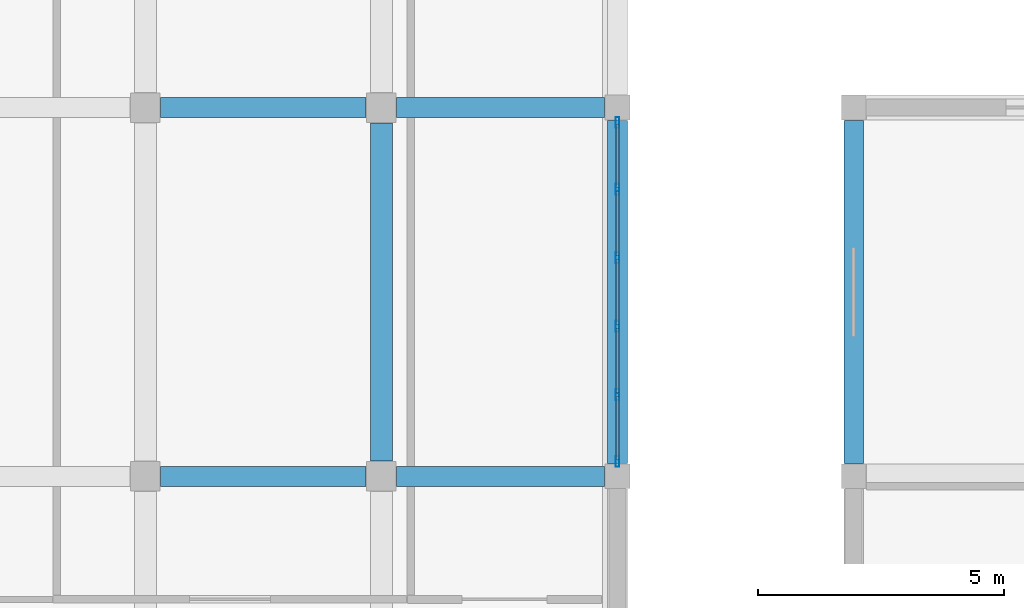
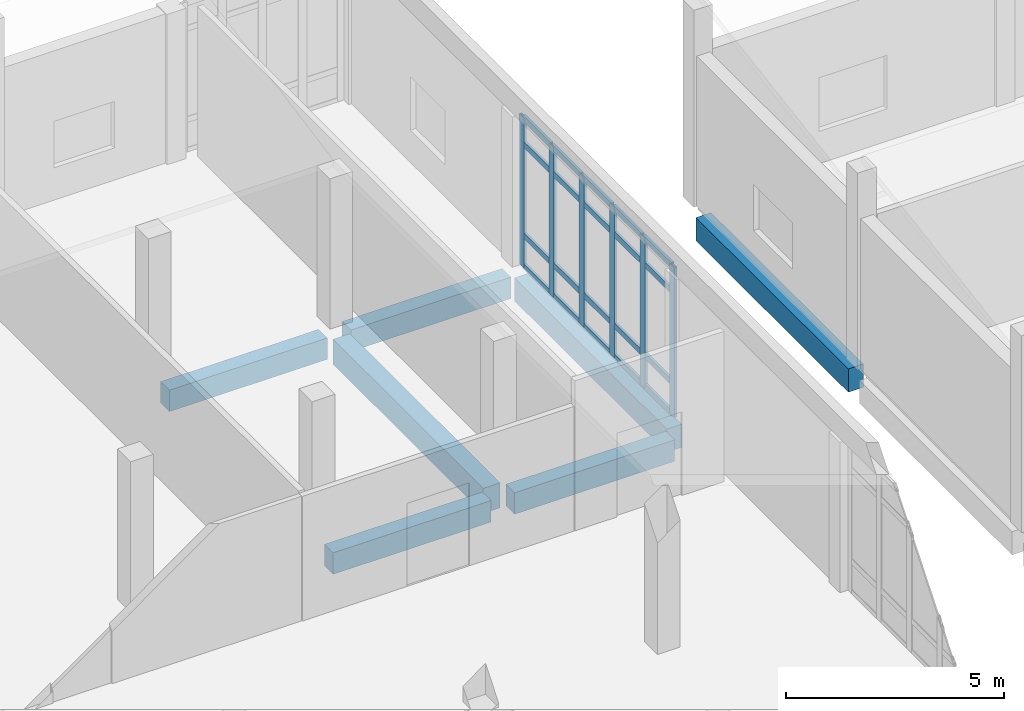
# One storey, part 102 of 164: 26 members, 7 beams, 1 element without a shape of its own.
"""IFC4 building model written with IfcOpenShell, lengths in metres."""

from ifc_helpers import new_model, si_unit, direction, frame, origin, origin_2d, place, context, subcontext, project, spatial, rectangle, hollow_rectangle, extrude, material, layer, layer_set, material_profile, profile_set, type_object, element, aggregate, save


model = new_model("IFC4")

# Units and contexts
model_context = context("Model", 3, precision=1e-05, world=origin(), true_north=direction((0.0, 1.0)))
body_context = subcontext(model_context, "Body", "Model", "MODEL_VIEW")
ifc_project = project(units=[si_unit("LENGTHUNIT", "METRE"), si_unit("AREAUNIT", "SQUARE_METRE"), si_unit("VOLUMEUNIT", "CUBIC_METRE"), si_unit("PLANEANGLEUNIT", "RADIAN"), si_unit("MASSUNIT", "GRAM", prefix="KILO")], contexts=[model_context])

# Site, building, storey
site_placement = place(None, origin())
site = spatial("IfcSite", under=ifc_project, at=site_placement, CompositionType="ELEMENT")
building_placement = place(site_placement, origin())
building = spatial("IfcBuilding", under=site, at=building_placement, Name="Mawjan Specialist Oncology Clinic", CompositionType="ELEMENT")
storey_placement = place(building_placement, frame((0.0, 0.0, 5.0)))
storey = spatial("IfcBuildingStorey", under=building, at=storey_placement, Name="L01", CompositionType="ELEMENT", Elevation=5.0)

# Beams
ifc_material_1 = material(Name="Concrete C40/50", Category="concrete")
ifc_material_profile_1 = material_profile(ifc_material_1, rectangle(XDim=0.39990234375, YDim=0.60009765625, at=origin_2d()), Name="RC BM 400x600", Category="concrete")
ifc_profile_set_1 = profile_set([ifc_material_profile_1], Name="Concrete C40/50")
beam_type_1 = type_object("IfcBeamType", Name="BM-400x600", PredefinedType="BEAM", material=ifc_profile_set_1)
beam_1_placement = place(storey_placement, frame((93.909912109375, 98.300048828125, -0.60009765625), z_axis=(1.0, 0.0, 0.0), x_axis=(0.0, 1.0, 0.0)))
element("IfcBeam", 1, at=beam_1_placement, inside=storey, type_object=beam_type_1, Name="L01 Collector Beam BM-L01-0384", PredefinedType="BEAM", context=body_context, shape_type="SweptSolid", body=[
    extrude(rectangle(XDim=0.39990234375, YDim=0.60009765625, at=origin_2d()), origin(), (0.0, 0.0, 1.0), 4.18017578125),
])
beam_2_placement = place(storey_placement, frame((98.7099609375, 98.300048828125, -0.60009765625), z_axis=(1.0, 0.0, 0.0), x_axis=(0.0, 1.0, 0.0)))
element("IfcBeam", 2, at=beam_2_placement, inside=storey, type_object=beam_type_1, Name="L01 Collector Beam BM-L01-0385", PredefinedType="BEAM", context=body_context, shape_type="SweptSolid", body=[
    extrude(rectangle(XDim=0.39990234375, YDim=0.60009765625, at=origin_2d()), origin(), (0.0, 0.0, 1.0), 4.22998046875),
])
beam_3_placement = place(storey_placement, frame((93.909912109375, 105.800048828125, -0.60009765625), z_axis=(1.0, 0.0, 0.0), x_axis=(0.0, 1.0, 0.0)))
element("IfcBeam", 3, at=beam_3_placement, inside=storey, type_object=beam_type_1, Name="L01 Collector Beam BM-L01-0401", PredefinedType="BEAM", context=body_context, shape_type="SweptSolid", body=[
    extrude(rectangle(XDim=0.39990234375, YDim=0.60009765625, at=origin_2d()), origin(), (0.0, 0.0, 1.0), 4.18017578125),
])
beam_4_placement = place(storey_placement, frame((98.7099609375, 105.800048828125, -0.60009765625), z_axis=(1.0, 0.0, 0.0), x_axis=(0.0, 1.0, 0.0)))
element("IfcBeam", 4, at=beam_4_placement, inside=storey, type_object=beam_type_1, Name="L01 Collector Beam BM-L01-0402", PredefinedType="BEAM", context=body_context, shape_type="SweptSolid", body=[
    extrude(rectangle(XDim=0.39990234375, YDim=0.60009765625, at=origin_2d()), origin(), (0.0, 0.0, 1.0), 4.22998046875),
])
ifc_material_2 = material(Name="Concrete C40/50", Category="concrete")
ifc_material_profile_2 = material_profile(ifc_material_2, rectangle(XDim=0.449951171875, YDim=0.699951171875, at=origin_2d()), Name="RC BM 450x700", Category="concrete")
ifc_profile_set_2 = profile_set([ifc_material_profile_2], Name="Concrete C40/50")
beam_type_2 = type_object("IfcBeamType", Name="BM-450x700", PredefinedType="BEAM", material=ifc_profile_set_2)
beam_5_placement = place(storey_placement, frame((98.39990234375, 98.610107421875, -0.64990234375), z_axis=(0.0, 1.0, 0.0), x_axis=(-1.0, 0.0, 0.0)))
element("IfcBeam", 5, at=beam_5_placement, inside=storey, type_object=beam_type_2, Name="L01 Collector Beam BM-L01-0548", PredefinedType="BEAM", context=body_context, shape_type="SweptSolid", body=[
    extrude(rectangle(XDim=0.449951171875, YDim=0.699951171875, at=origin_2d()), origin(), (0.0, 0.0, 1.0), 6.8798828125),
])

# Curtain wall, members
ifc_material_3 = material(Name="Unitised spectrally selective aluminium curtain wall", Category="aluminium")
ifc_layer = layer(ifc_material_3, 0.179931640625, Name="Unitised spectrally selective aluminium curtain wall", Category="aluminium")
ifc_layer_set = layer_set([ifc_layer], Name="Unitised spectrally selective aluminium curtain wall")
curtain_wall_type = type_object("IfcCurtainWallType", Name="CW-65", PredefinedType="NOTDEFINED", material=ifc_layer_set)
curtain_wall_placement = place(storey_placement, origin())
curtain_wall = element("IfcCurtainWall", 6, at=curtain_wall_placement, inside=storey, type_object=curtain_wall_type, Name="L01 Unitised Curtain Wall CW-L01-124", PredefinedType="NOTDEFINED")
ifc_material_4 = material(Name="Thermally broken aluminium 6063-T6", Category="aluminium")
ifc_material_profile_3 = material_profile(ifc_material_4, hollow_rectangle(XDim=0.070068359375, YDim=0.219970703125, WallThickness=0.00390625, at=origin_2d()), Name="ALU MULLION 220x70x4", Category="aluminium")
ifc_profile_set_3 = profile_set([ifc_material_profile_3], Name="Thermally broken aluminium 6063-T6")
member_type_1 = type_object("IfcMemberType", Name="CW-M220", PredefinedType="MULLION", material=ifc_profile_set_3)
member_1_placement = place(storey_placement, frame((103.199951171875, 105.4951171875, 0.0), z_axis=(0.0, 0.0, 1.0), x_axis=(1.0, 0.0, 0.0)))
member_1 = element("IfcMember", 7, at=member_1_placement, type_object=member_type_1, Name="CW-65 mullion 1", PredefinedType="MULLION", context=body_context, shape_type="SweptSolid", body=[
    extrude(hollow_rectangle(XDim=0.070068359375, YDim=0.219970703125, WallThickness=0.00390625, at=origin_2d()), origin(), (0.0, 0.0, 1.0), 4.199951171875),
])
member_2_placement = place(storey_placement, frame((103.199951171875, 104.137939453125, 0.0), z_axis=(0.0, 0.0, 1.0), x_axis=(1.0, 0.0, 0.0)))
member_2 = element("IfcMember", 8, at=member_2_placement, type_object=member_type_1, Name="CW-65 mullion 2", PredefinedType="MULLION", context=body_context, shape_type="SweptSolid", body=[
    extrude(hollow_rectangle(XDim=0.070068359375, YDim=0.219970703125, WallThickness=0.00390625, at=origin_2d()), origin(), (0.0, 0.0, 1.0), 4.199951171875),
])
member_3_placement = place(storey_placement, frame((103.199951171875, 102.74609375, 0.0), z_axis=(0.0, 0.0, 1.0), x_axis=(1.0, 0.0, 0.0)))
member_3 = element("IfcMember", 9, at=member_3_placement, type_object=member_type_1, Name="CW-65 mullion 3", PredefinedType="MULLION", context=body_context, shape_type="SweptSolid", body=[
    extrude(hollow_rectangle(XDim=0.070068359375, YDim=0.219970703125, WallThickness=0.00390625, at=origin_2d()), origin(), (0.0, 0.0, 1.0), 4.199951171875),
])
member_4_placement = place(storey_placement, frame((103.199951171875, 101.35400390625, 0.0), z_axis=(0.0, 0.0, 1.0), x_axis=(1.0, 0.0, 0.0)))
member_4 = element("IfcMember", 10, at=member_4_placement, type_object=member_type_1, Name="CW-65 mullion 4", PredefinedType="MULLION", context=body_context, shape_type="SweptSolid", body=[
    extrude(hollow_rectangle(XDim=0.070068359375, YDim=0.219970703125, WallThickness=0.00390625, at=origin_2d()), origin(), (0.0, 0.0, 1.0), 4.199951171875),
])
member_5_placement = place(storey_placement, frame((103.199951171875, 99.9619140625, 0.0), z_axis=(0.0, 0.0, 1.0), x_axis=(1.0, 0.0, 0.0)))
member_5 = element("IfcMember", 11, at=member_5_placement, type_object=member_type_1, Name="CW-65 mullion 5", PredefinedType="MULLION", context=body_context, shape_type="SweptSolid", body=[
    extrude(hollow_rectangle(XDim=0.070068359375, YDim=0.219970703125, WallThickness=0.00390625, at=origin_2d()), origin(), (0.0, 0.0, 1.0), 4.199951171875),
])
member_6_placement = place(storey_placement, frame((103.199951171875, 98.60498046875, 0.0), z_axis=(0.0, 0.0, 1.0), x_axis=(1.0, 0.0, 0.0)))
member_6 = element("IfcMember", 12, at=member_6_placement, type_object=member_type_1, Name="CW-65 mullion 6", PredefinedType="MULLION", context=body_context, shape_type="SweptSolid", body=[
    extrude(hollow_rectangle(XDim=0.070068359375, YDim=0.219970703125, WallThickness=0.00390625, at=origin_2d()), origin(), (0.0, 0.0, 1.0), 4.199951171875),
])
ifc_material_5 = material(Name="Thermally broken aluminium 6063-T6", Category="aluminium")
ifc_material_profile_4 = material_profile(ifc_material_5, hollow_rectangle(XDim=0.070068359375, YDim=0.159912109375, WallThickness=0.00390625, at=origin_2d()), Name="ALU TRANSOM 160x70x4", Category="aluminium")
ifc_profile_set_4 = profile_set([ifc_material_profile_4], Name="Thermally broken aluminium 6063-T6")
member_type_2 = type_object("IfcMemberType", Name="CW-T160", PredefinedType="USERDEFINED", material=ifc_profile_set_4)
member_7_placement = place(storey_placement, frame((103.199951171875, 105.4599609375, 0.034912109375), z_axis=(0.0, -1.0, 0.0), x_axis=(1.0, 0.0, 0.0)))
member_7 = element("IfcMember", 13, at=member_7_placement, type_object=member_type_2, Name="CW-65 transom 1.1", ObjectType="TRANSOM", PredefinedType="USERDEFINED", context=body_context, shape_type="SweptSolid", body=[
    extrude(hollow_rectangle(XDim=0.070068359375, YDim=0.159912109375, WallThickness=0.00390625, at=origin_2d()), origin(), (0.0, 0.0, 1.0), 1.286865234375),
])
member_8_placement = place(storey_placement, frame((103.199951171875, 105.4599609375, 0.89990234375), z_axis=(0.0, -1.0, 0.0), x_axis=(1.0, 0.0, 0.0)))
member_8 = element("IfcMember", 14, at=member_8_placement, type_object=member_type_2, Name="CW-65 transom 1.2", ObjectType="TRANSOM", PredefinedType="USERDEFINED", context=body_context, shape_type="SweptSolid", body=[
    extrude(hollow_rectangle(XDim=0.070068359375, YDim=0.159912109375, WallThickness=0.00390625, at=origin_2d()), origin(), (0.0, 0.0, 1.0), 1.286865234375),
])
member_9_placement = place(storey_placement, frame((103.199951171875, 105.4599609375, 3.449951171875), z_axis=(0.0, -1.0, 0.0), x_axis=(1.0, 0.0, 0.0)))
member_9 = element("IfcMember", 15, at=member_9_placement, type_object=member_type_2, Name="CW-65 transom 1.3", ObjectType="TRANSOM", PredefinedType="USERDEFINED", context=body_context, shape_type="SweptSolid", body=[
    extrude(hollow_rectangle(XDim=0.070068359375, YDim=0.159912109375, WallThickness=0.00390625, at=origin_2d()), origin(), (0.0, 0.0, 1.0), 1.286865234375),
])
member_10_placement = place(storey_placement, frame((103.199951171875, 105.4599609375, 4.1650390625), z_axis=(0.0, -1.0, 0.0), x_axis=(1.0, 0.0, 0.0)))
member_10 = element("IfcMember", 16, at=member_10_placement, type_object=member_type_2, Name="CW-65 transom 1.4", ObjectType="TRANSOM", PredefinedType="USERDEFINED", context=body_context, shape_type="SweptSolid", body=[
    extrude(hollow_rectangle(XDim=0.070068359375, YDim=0.159912109375, WallThickness=0.00390625, at=origin_2d()), origin(), (0.0, 0.0, 1.0), 1.286865234375),
])
member_11_placement = place(storey_placement, frame((103.199951171875, 104.10302734375, 0.034912109375), z_axis=(0.0, -1.0, 0.0), x_axis=(1.0, 0.0, 0.0)))
member_11 = element("IfcMember", 17, at=member_11_placement, type_object=member_type_2, Name="CW-65 transom 2.1", ObjectType="TRANSOM", PredefinedType="USERDEFINED", context=body_context, shape_type="SweptSolid", body=[
    extrude(hollow_rectangle(XDim=0.070068359375, YDim=0.159912109375, WallThickness=0.00390625, at=origin_2d()), origin(), (0.0, 0.0, 1.0), 1.322021484375),
])
member_12_placement = place(storey_placement, frame((103.199951171875, 104.10302734375, 0.89990234375), z_axis=(0.0, -1.0, 0.0), x_axis=(1.0, 0.0, 0.0)))
member_12 = element("IfcMember", 18, at=member_12_placement, type_object=member_type_2, Name="CW-65 transom 2.2", ObjectType="TRANSOM", PredefinedType="USERDEFINED", context=body_context, shape_type="SweptSolid", body=[
    extrude(hollow_rectangle(XDim=0.070068359375, YDim=0.159912109375, WallThickness=0.00390625, at=origin_2d()), origin(), (0.0, 0.0, 1.0), 1.322021484375),
])
member_13_placement = place(storey_placement, frame((103.199951171875, 104.10302734375, 3.449951171875), z_axis=(0.0, -1.0, 0.0), x_axis=(1.0, 0.0, 0.0)))
member_13 = element("IfcMember", 19, at=member_13_placement, type_object=member_type_2, Name="CW-65 transom 2.3", ObjectType="TRANSOM", PredefinedType="USERDEFINED", context=body_context, shape_type="SweptSolid", body=[
    extrude(hollow_rectangle(XDim=0.070068359375, YDim=0.159912109375, WallThickness=0.00390625, at=origin_2d()), origin(), (0.0, 0.0, 1.0), 1.322021484375),
])
member_14_placement = place(storey_placement, frame((103.199951171875, 104.10302734375, 4.1650390625), z_axis=(0.0, -1.0, 0.0), x_axis=(1.0, 0.0, 0.0)))
member_14 = element("IfcMember", 20, at=member_14_placement, type_object=member_type_2, Name="CW-65 transom 2.4", ObjectType="TRANSOM", PredefinedType="USERDEFINED", context=body_context, shape_type="SweptSolid", body=[
    extrude(hollow_rectangle(XDim=0.070068359375, YDim=0.159912109375, WallThickness=0.00390625, at=origin_2d()), origin(), (0.0, 0.0, 1.0), 1.322021484375),
])
member_15_placement = place(storey_placement, frame((103.199951171875, 102.7109375, 0.034912109375), z_axis=(0.0, -1.0, 0.0), x_axis=(1.0, 0.0, 0.0)))
member_15 = element("IfcMember", 21, at=member_15_placement, type_object=member_type_2, Name="CW-65 transom 3.1", ObjectType="TRANSOM", PredefinedType="USERDEFINED", context=body_context, shape_type="SweptSolid", body=[
    extrude(hollow_rectangle(XDim=0.070068359375, YDim=0.159912109375, WallThickness=0.00390625, at=origin_2d()), origin(), (0.0, 0.0, 1.0), 1.322021484375),
])
member_16_placement = place(storey_placement, frame((103.199951171875, 102.7109375, 0.89990234375), z_axis=(0.0, -1.0, 0.0), x_axis=(1.0, 0.0, 0.0)))
member_16 = element("IfcMember", 22, at=member_16_placement, type_object=member_type_2, Name="CW-65 transom 3.2", ObjectType="TRANSOM", PredefinedType="USERDEFINED", context=body_context, shape_type="SweptSolid", body=[
    extrude(hollow_rectangle(XDim=0.070068359375, YDim=0.159912109375, WallThickness=0.00390625, at=origin_2d()), origin(), (0.0, 0.0, 1.0), 1.322021484375),
])
member_17_placement = place(storey_placement, frame((103.199951171875, 102.7109375, 3.449951171875), z_axis=(0.0, -1.0, 0.0), x_axis=(1.0, 0.0, 0.0)))
member_17 = element("IfcMember", 23, at=member_17_placement, type_object=member_type_2, Name="CW-65 transom 3.3", ObjectType="TRANSOM", PredefinedType="USERDEFINED", context=body_context, shape_type="SweptSolid", body=[
    extrude(hollow_rectangle(XDim=0.070068359375, YDim=0.159912109375, WallThickness=0.00390625, at=origin_2d()), origin(), (0.0, 0.0, 1.0), 1.322021484375),
])
member_18_placement = place(storey_placement, frame((103.199951171875, 102.7109375, 4.1650390625), z_axis=(0.0, -1.0, 0.0), x_axis=(1.0, 0.0, 0.0)))
member_18 = element("IfcMember", 24, at=member_18_placement, type_object=member_type_2, Name="CW-65 transom 3.4", ObjectType="TRANSOM", PredefinedType="USERDEFINED", context=body_context, shape_type="SweptSolid", body=[
    extrude(hollow_rectangle(XDim=0.070068359375, YDim=0.159912109375, WallThickness=0.00390625, at=origin_2d()), origin(), (0.0, 0.0, 1.0), 1.322021484375),
])
member_19_placement = place(storey_placement, frame((103.199951171875, 101.319091796875, 0.034912109375), z_axis=(0.0, -1.0, 0.0), x_axis=(1.0, 0.0, 0.0)))
member_19 = element("IfcMember", 25, at=member_19_placement, type_object=member_type_2, Name="CW-65 transom 4.1", ObjectType="TRANSOM", PredefinedType="USERDEFINED", context=body_context, shape_type="SweptSolid", body=[
    extrude(hollow_rectangle(XDim=0.070068359375, YDim=0.159912109375, WallThickness=0.00390625, at=origin_2d()), origin(), (0.0, 0.0, 1.0), 1.322021484375),
])
member_20_placement = place(storey_placement, frame((103.199951171875, 101.319091796875, 0.89990234375), z_axis=(0.0, -1.0, 0.0), x_axis=(1.0, 0.0, 0.0)))
member_20 = element("IfcMember", 26, at=member_20_placement, type_object=member_type_2, Name="CW-65 transom 4.2", ObjectType="TRANSOM", PredefinedType="USERDEFINED", context=body_context, shape_type="SweptSolid", body=[
    extrude(hollow_rectangle(XDim=0.070068359375, YDim=0.159912109375, WallThickness=0.00390625, at=origin_2d()), origin(), (0.0, 0.0, 1.0), 1.322021484375),
])
member_21_placement = place(storey_placement, frame((103.199951171875, 101.319091796875, 3.449951171875), z_axis=(0.0, -1.0, 0.0), x_axis=(1.0, 0.0, 0.0)))
member_21 = element("IfcMember", 27, at=member_21_placement, type_object=member_type_2, Name="CW-65 transom 4.3", ObjectType="TRANSOM", PredefinedType="USERDEFINED", context=body_context, shape_type="SweptSolid", body=[
    extrude(hollow_rectangle(XDim=0.070068359375, YDim=0.159912109375, WallThickness=0.00390625, at=origin_2d()), origin(), (0.0, 0.0, 1.0), 1.322021484375),
])
member_22_placement = place(storey_placement, frame((103.199951171875, 101.319091796875, 4.1650390625), z_axis=(0.0, -1.0, 0.0), x_axis=(1.0, 0.0, 0.0)))
member_22 = element("IfcMember", 28, at=member_22_placement, type_object=member_type_2, Name="CW-65 transom 4.4", ObjectType="TRANSOM", PredefinedType="USERDEFINED", context=body_context, shape_type="SweptSolid", body=[
    extrude(hollow_rectangle(XDim=0.070068359375, YDim=0.159912109375, WallThickness=0.00390625, at=origin_2d()), origin(), (0.0, 0.0, 1.0), 1.322021484375),
])
member_23_placement = place(storey_placement, frame((103.199951171875, 99.927001953125, 0.034912109375), z_axis=(0.0, -1.0, 0.0), x_axis=(1.0, 0.0, 0.0)))
member_23 = element("IfcMember", 29, at=member_23_placement, type_object=member_type_2, Name="CW-65 transom 5.1", ObjectType="TRANSOM", PredefinedType="USERDEFINED", context=body_context, shape_type="SweptSolid", body=[
    extrude(hollow_rectangle(XDim=0.070068359375, YDim=0.159912109375, WallThickness=0.00390625, at=origin_2d()), origin(), (0.0, 0.0, 1.0), 1.287109375),
])
member_24_placement = place(storey_placement, frame((103.199951171875, 99.927001953125, 0.89990234375), z_axis=(0.0, -1.0, 0.0), x_axis=(1.0, 0.0, 0.0)))
member_24 = element("IfcMember", 30, at=member_24_placement, type_object=member_type_2, Name="CW-65 transom 5.2", ObjectType="TRANSOM", PredefinedType="USERDEFINED", context=body_context, shape_type="SweptSolid", body=[
    extrude(hollow_rectangle(XDim=0.070068359375, YDim=0.159912109375, WallThickness=0.00390625, at=origin_2d()), origin(), (0.0, 0.0, 1.0), 1.287109375),
])
member_25_placement = place(storey_placement, frame((103.199951171875, 99.927001953125, 3.449951171875), z_axis=(0.0, -1.0, 0.0), x_axis=(1.0, 0.0, 0.0)))
member_25 = element("IfcMember", 31, at=member_25_placement, type_object=member_type_2, Name="CW-65 transom 5.3", ObjectType="TRANSOM", PredefinedType="USERDEFINED", context=body_context, shape_type="SweptSolid", body=[
    extrude(hollow_rectangle(XDim=0.070068359375, YDim=0.159912109375, WallThickness=0.00390625, at=origin_2d()), origin(), (0.0, 0.0, 1.0), 1.287109375),
])
member_26_placement = place(storey_placement, frame((103.199951171875, 99.927001953125, 4.1650390625), z_axis=(0.0, -1.0, 0.0), x_axis=(1.0, 0.0, 0.0)))
member_26 = element("IfcMember", 32, at=member_26_placement, type_object=member_type_2, Name="CW-65 transom 5.4", ObjectType="TRANSOM", PredefinedType="USERDEFINED", context=body_context, shape_type="SweptSolid", body=[
    extrude(hollow_rectangle(XDim=0.070068359375, YDim=0.159912109375, WallThickness=0.00390625, at=origin_2d()), origin(), (0.0, 0.0, 1.0), 1.287109375),
])
aggregate(curtain_wall, [member_1, member_2, member_3, member_4, member_5, member_6, member_7, member_8, member_9, member_10, member_11, member_12, member_13, member_14, member_15, member_16, member_17, member_18, member_19, member_20, member_21, member_22, member_23, member_24, member_25, member_26])

# Beams
ifc_material_6 = material(Name="Concrete C45/55", Category="concrete")
ifc_material_profile_5 = material_profile(ifc_material_6, rectangle(XDim=0.39990234375, YDim=0.64990234375, at=origin_2d()), Name="RC BM 400x650", Category="concrete")
ifc_profile_set_5 = profile_set([ifc_material_profile_5], Name="Concrete C45/55")
beam_type_3 = type_object("IfcBeamType", Name="SP-400x650", PredefinedType="SPANDREL", material=ifc_profile_set_5)
for number, where, z_axis, x_axis, name in (
    (33, (103.199951171875, 98.56005859375, -0.625), (0.0, 1.0, 0.0), (-1.0, 0.0, 0.0), "L01 Spandrel Beam BM-L01-0555"),
    (34, (108.0, 98.56005859375, -0.625), (0.0, 1.0, 0.0), (-1.0, 0.0, 0.0), "L01 Spandrel Beam BM-L01-0564"),
):
    element("IfcBeam", number, at=place(storey_placement, frame(where, z_axis=z_axis, x_axis=x_axis)), inside=storey, type_object=beam_type_3, Name=name, PredefinedType="SPANDREL", context=body_context, shape_type="SweptSolid", body=[
        extrude(rectangle(XDim=0.39990234375, YDim=0.64990234375, at=origin_2d()), origin(), (0.0, 0.0, 1.0), 6.97998046875),
    ])

save(model, "model.ifc")
